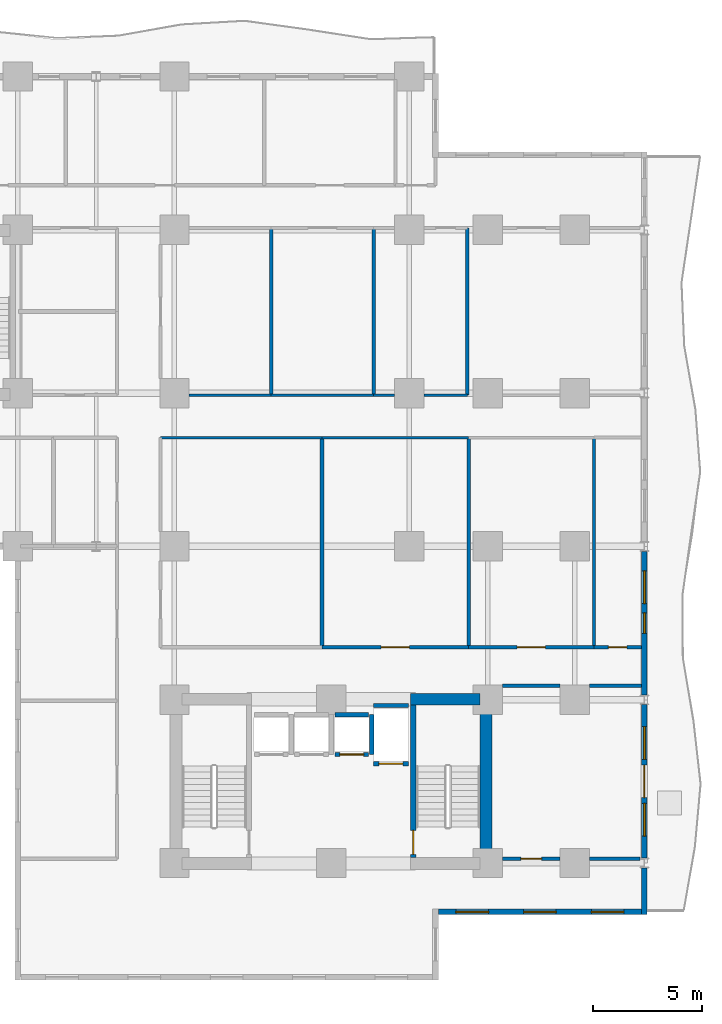
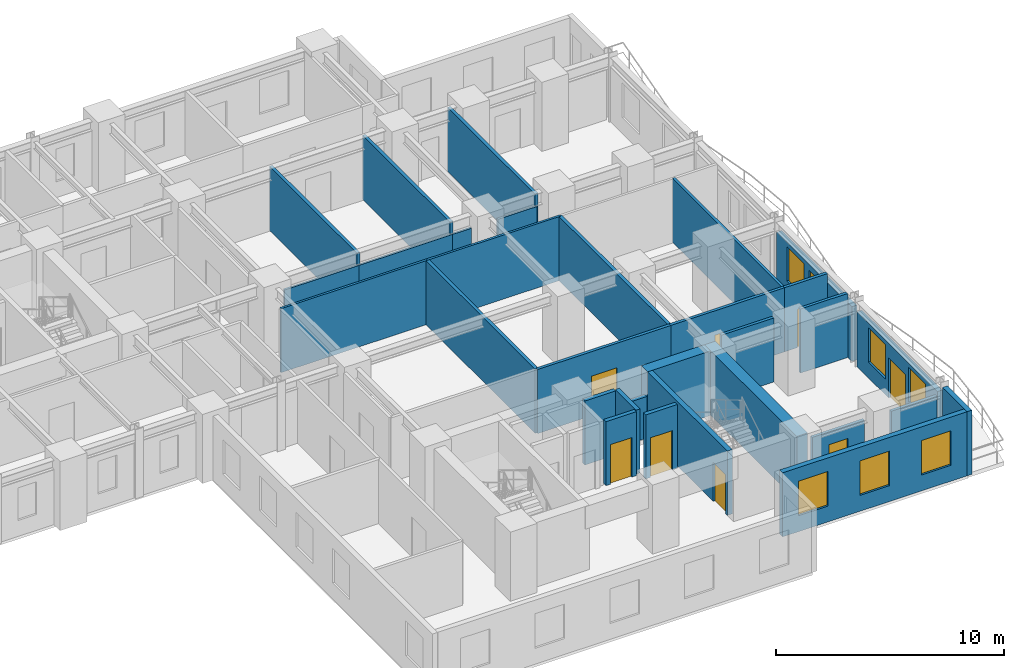
# One storey, part 5 of 11: 31 walls, 8 doors, 7 windows, 15 openings.
"""IFC4 building model written with IfcOpenShell, lengths in metres."""

from ifc_helpers import new_model, si_unit, direction, frame, frame_2d, origin, place, context, subcontext, project, spatial, rectangle, extrude, material, layer, layer_set, type_object, element, fill, save


model = new_model("IFC4")

# Units and contexts
model_context = context("Model", 3, precision=1e-05, world=origin(), true_north=direction((0.0, 1.0)))
body_context = subcontext(model_context, "Body", "Model", "MODEL_VIEW")
ifc_project = project(units=[si_unit("LENGTHUNIT", "METRE"), si_unit("AREAUNIT", "SQUARE_METRE"), si_unit("VOLUMEUNIT", "CUBIC_METRE"), si_unit("PLANEANGLEUNIT", "RADIAN"), si_unit("MASSUNIT", "GRAM", prefix="KILO")], contexts=[model_context])

# Site, building, storey
site_placement = place(None, origin())
site = spatial("IfcSite", under=ifc_project, at=site_placement, CompositionType="ELEMENT")
building_placement = place(site_placement, origin())
building = spatial("IfcBuilding", under=site, at=building_placement, Name="Kaliganga Portal Commons", CompositionType="ELEMENT")
storey_placement = place(building_placement, frame((0.0, 0.0, 54.89990234375)))
storey = spatial("IfcBuildingStorey", under=building, at=storey_placement, Name="L13", CompositionType="ELEMENT", Elevation=54.89990234375)

# Walls
ifc_material_1 = material(Name="Concrete C60/75", Category="concrete")
ifc_layer_1 = layer(ifc_material_1, 0.550048828125)
ifc_layer_set_1 = layer_set([ifc_layer_1], Name="Concrete C60/75")
wall_type_1 = type_object("IfcWallType", Name="WL-CORE-550", PredefinedType="SHEAR", material=ifc_layer_set_1)
wall_1_placement = place(storey_placement, frame((50.324951171875, 6.75, 0.0), z_axis=(0.0, 0.0, 1.0), x_axis=(0.0, 1.0, 0.0)))
element("IfcWall", 1, at=wall_1_placement, inside=storey, type_object=wall_type_1, Name="Core B East Shear Wall L13", PredefinedType="SHEAR", context=body_context, shape_type="SweptSolid", body=[
    extrude(rectangle(XDim=8.10009765625, YDim=0.550048828125, at=frame_2d((4.050048828125, 0.0))), origin(), (0.0, 0.0, 1.0), 3.4501953125),
])
wall_2_placement = place(storey_placement, frame((46.85009765625, 14.574951171875, 0.0), z_axis=(0.0, 0.0, 1.0), x_axis=(1.0, 0.0, 0.0)))
element("IfcWall", 2, at=wall_2_placement, inside=storey, type_object=wall_type_1, Name="Core B N-East Shear Wall L13", PredefinedType="SHEAR", context=body_context, shape_type="SweptSolid", body=[
    extrude(rectangle(XDim=3.199951171875, YDim=0.550048828125, at=frame_2d((1.60009765625, 0.0))), origin(), (0.0, 0.0, 1.0), 3.4501953125),
])

# Wall, openings, windows
ifc_material_2 = material(Name="Insulated Aluminium-Clad Spandrel Assembly", Category="aluminium")
ifc_layer_2 = layer(ifc_material_2, 0.260009765625)
ifc_layer_set_2 = layer_set([ifc_layer_2], Name="Insulated Aluminium-Clad Spandrel Assembly")
wall_type_2 = type_object("IfcWallType", Name="WL-EXT-SPAND-260", PredefinedType="STANDARD", material=ifc_layer_set_2)
wall_3_placement = place(storey_placement, frame((57.465087890625, 4.800048828125, 0.0), z_axis=(0.0, 0.0, 1.0), x_axis=(-1.0, 0.0, 0.0)))
wall_3 = element("IfcWall", 3, at=wall_3_placement, inside=storey, type_object=wall_type_2, Name="Exterior Envelope Wall L13 P1-E02-S1", PredefinedType="STANDARD", context=body_context, shape_type="SweptSolid", body=[
    extrude(rectangle(XDim=9.330078125, YDim=0.260009765625, at=frame_2d((4.6650390625, 0.0))), origin(), (0.0, 0.0, 1.0), 3.43017578125),
])
opening_1_placement = place(wall_3_placement, frame((0.804931640625, 0.0, 0.85009765625)))
opening_1 = element("IfcOpeningElement", 4, at=opening_1_placement, cuts=wall_3, Name="Opening W-02", PredefinedType="OPENING", context=body_context, shape_type="SweptSolid", body=[
    extrude(rectangle(XDim=1.5, YDim=1.85009765625, at=frame_2d((0.75, 0.925048828125))), frame((0.0, 0.14013671875, 0.0), z_axis=(0.0, -1.0, 0.0), x_axis=(1.0, 0.0, 0.0)), (0.0, 0.0, 1.0), 0.280029296875),
])
opening_2_placement = place(wall_3_placement, frame((3.9150390625, 0.0, 0.85009765625)))
opening_2 = element("IfcOpeningElement", 5, at=opening_2_placement, cuts=wall_3, Name="Opening W-02", PredefinedType="OPENING", context=body_context, shape_type="SweptSolid", body=[
    extrude(rectangle(XDim=1.5, YDim=1.85009765625, at=frame_2d((0.75, 0.925048828125))), frame((0.0, 0.14013671875, 0.0), z_axis=(0.0, -1.0, 0.0), x_axis=(1.0, 0.0, 0.0)), (0.0, 0.0, 1.0), 0.280029296875),
])
opening_3_placement = place(wall_3_placement, frame((7.02490234375, 0.0, 0.85009765625)))
opening_3 = element("IfcOpeningElement", 6, at=opening_3_placement, cuts=wall_3, Name="Opening W-02", PredefinedType="OPENING", context=body_context, shape_type="SweptSolid", body=[
    extrude(rectangle(XDim=1.5, YDim=1.85009765625, at=frame_2d((0.75, 0.925048828125))), frame((0.0, 0.14013671875, 0.0), z_axis=(0.0, -1.0, 0.0), x_axis=(1.0, 0.0, 0.0)), (0.0, 0.0, 1.0), 0.280029296875),
])
ifc_material_3 = material(Name="Thermally Broken Aluminium and Low-E Double Glazing", Category="aluminium")
window_type_1 = type_object("IfcWindowType", Name="WIN-STD-1500", PartitioningType="DOUBLE_PANEL_VERTICAL", PredefinedType="WINDOW", material=ifc_material_3)
window_1_placement = place(opening_1_placement, origin())
window_1 = element("IfcWindow", 7, at=window_1_placement, inside=storey, type_object=window_type_1, Name="Facade Window L13-P1E02S1-00", OverallHeight=1.85009765625, OverallWidth=1.5, PartitioningType="SINGLE_PANEL", PredefinedType="WINDOW", context=body_context, shape_type="SweptSolid", body=[
    extrude(rectangle(XDim=1.5, YDim=1.85009765625, at=frame_2d((0.75, 0.925048828125))), frame((0.0, 0.030029296875, 0.0), z_axis=(0.0, -1.0, 0.0), x_axis=(1.0, 0.0, 0.0)), (0.0, 0.0, 1.0), 0.06005859375),
])
fill(opening_1, window_1)
window_2_placement = place(opening_2_placement, origin())
window_2 = element("IfcWindow", 8, at=window_2_placement, inside=storey, type_object=window_type_1, Name="Facade Window L13-P1E02S1-01", OverallHeight=1.85009765625, OverallWidth=1.5, PartitioningType="SINGLE_PANEL", PredefinedType="WINDOW", context=body_context, shape_type="SweptSolid", body=[
    extrude(rectangle(XDim=1.5, YDim=1.85009765625, at=frame_2d((0.75, 0.925048828125))), frame((0.0, 0.030029296875, 0.0), z_axis=(0.0, -1.0, 0.0), x_axis=(1.0, 0.0, 0.0)), (0.0, 0.0, 1.0), 0.06005859375),
])
fill(opening_2, window_2)
window_3_placement = place(opening_3_placement, origin())
window_3 = element("IfcWindow", 9, at=window_3_placement, inside=storey, type_object=window_type_1, Name="Facade Window L13-P1E02S1-02", OverallHeight=1.85009765625, OverallWidth=1.5, PartitioningType="SINGLE_PANEL", PredefinedType="WINDOW", context=body_context, shape_type="SweptSolid", body=[
    extrude(rectangle(XDim=1.5, YDim=1.85009765625, at=frame_2d((0.75, 0.925048828125))), frame((0.0, 0.030029296875, 0.0), z_axis=(0.0, -1.0, 0.0), x_axis=(1.0, 0.0, 0.0)), (0.0, 0.0, 1.0), 0.06005859375),
])
fill(opening_3, window_3)

# Wall
wall_4_placement = place(storey_placement, frame((57.60009765625, 6.825927734375, 0.0), z_axis=(0.0, 0.0, 1.0), x_axis=(0.0, -1.0, 0.0)))
element("IfcWall", 10, at=wall_4_placement, inside=storey, type_object=wall_type_2, Name="Exterior Envelope Wall L13 P1-E03-S1", PredefinedType="STANDARD", context=body_context, shape_type="SweptSolid", body=[
    extrude(rectangle(XDim=2.156005859375, YDim=0.260009765625, at=frame_2d((1.078125, 0.0))), origin(), (0.0, 0.0, 1.0), 3.43017578125),
])

# Wall, openings, door, windows
wall_5_placement = place(storey_placement, frame((57.60009765625, 14.325927734375, 0.0), z_axis=(0.0, 0.0, 1.0), x_axis=(0.0, -1.0, 0.0)))
wall_5 = element("IfcWall", 11, at=wall_5_placement, inside=storey, type_object=wall_type_2, Name="Exterior Envelope Wall L13 P1-E03-S2", PredefinedType="STANDARD", context=body_context, shape_type="SweptSolid", body=[
    extrude(rectangle(XDim=7.052001953125, YDim=0.260009765625, at=frame_2d((3.52587890625, 0.0))), origin(), (0.0, 0.0, 1.0), 2.93017578125),
])
opening_4_placement = place(wall_5_placement, frame((2.77587890625, 0.0, 0.0)))
opening_4 = element("IfcOpeningElement", 12, at=opening_4_placement, cuts=wall_5, Name="Opening BD-01", PredefinedType="OPENING", context=body_context, shape_type="SweptSolid", body=[
    extrude(rectangle(XDim=1.5, YDim=2.14990234375, at=frame_2d((0.75, 1.074951171875))), frame((0.0, 0.14013671875, 0.0), z_axis=(0.0, -1.0, 0.0), x_axis=(1.0, 0.0, 0.0)), (0.0, 0.0, 1.0), 0.280029296875),
])
opening_5_placement = place(wall_5_placement, frame((1.012939453125, 0.0, 0.85009765625)))
opening_5 = element("IfcOpeningElement", 13, at=opening_5_placement, cuts=wall_5, Name="Opening W-02", PredefinedType="OPENING", context=body_context, shape_type="SweptSolid", body=[
    extrude(rectangle(XDim=1.5, YDim=1.85009765625, at=frame_2d((0.75, 0.925048828125))), frame((0.0, 0.14013671875, 0.0), z_axis=(0.0, -1.0, 0.0), x_axis=(1.0, 0.0, 0.0)), (0.0, 0.0, 1.0), 0.280029296875),
])
opening_6_placement = place(wall_5_placement, frame((4.5390625, 0.0, 0.85009765625)))
opening_6 = element("IfcOpeningElement", 14, at=opening_6_placement, cuts=wall_5, Name="Opening W-02", PredefinedType="OPENING", context=body_context, shape_type="SweptSolid", body=[
    extrude(rectangle(XDim=1.5, YDim=1.85009765625, at=frame_2d((0.75, 0.925048828125))), frame((0.0, 0.14013671875, 0.0), z_axis=(0.0, -1.0, 0.0), x_axis=(1.0, 0.0, 0.0)), (0.0, 0.0, 1.0), 0.280029296875),
])
ifc_material_4 = material(Name="Anodized Aluminium and Laminated Safety Glass", Category="aluminium")
door_type_1 = type_object("IfcDoorType", Name="DR-BALC-1500", OperationType="SLIDING_TO_LEFT", PredefinedType="DOOR", material=ifc_material_4)
door_1_placement = place(opening_4_placement, origin())
door_1 = element("IfcDoor", 15, at=door_1_placement, inside=storey, type_object=door_type_1, Name="Balcony Sliding Door L13 balc_east", OperationType="SLIDING_TO_LEFT", OverallHeight=2.14990234375, OverallWidth=1.5, PredefinedType="DOOR", context=body_context, shape_type="SweptSolid", body=[
    extrude(rectangle(XDim=1.5, YDim=2.14990234375, at=frame_2d((0.75, 1.074951171875))), frame((0.0, 0.02490234375, 0.0), z_axis=(0.0, -1.0, 0.0), x_axis=(1.0, 0.0, 0.0)), (0.0, 0.0, 1.0), 0.050048828125),
])
fill(opening_4, door_1)
window_4_placement = place(opening_5_placement, origin())
window_4 = element("IfcWindow", 16, at=window_4_placement, inside=storey, type_object=window_type_1, Name="Facade Window L13-P1E03S2-00", OverallHeight=1.85009765625, OverallWidth=1.5, PartitioningType="SINGLE_PANEL", PredefinedType="WINDOW", context=body_context, shape_type="SweptSolid", body=[
    extrude(rectangle(XDim=1.5, YDim=1.85009765625, at=frame_2d((0.75, 0.925048828125))), frame((0.0, 0.030029296875, 0.0), z_axis=(0.0, -1.0, 0.0), x_axis=(1.0, 0.0, 0.0)), (0.0, 0.0, 1.0), 0.06005859375),
])
fill(opening_5, window_4)
window_5_placement = place(opening_6_placement, origin())
window_5 = element("IfcWindow", 17, at=window_5_placement, inside=storey, type_object=window_type_1, Name="Facade Window L13-P1E03S2-01", OverallHeight=1.85009765625, OverallWidth=1.5, PartitioningType="SINGLE_PANEL", PredefinedType="WINDOW", context=body_context, shape_type="SweptSolid", body=[
    extrude(rectangle(XDim=1.5, YDim=1.85009765625, at=frame_2d((0.75, 0.925048828125))), frame((0.0, 0.030029296875, 0.0), z_axis=(0.0, -1.0, 0.0), x_axis=(1.0, 0.0, 0.0)), (0.0, 0.0, 1.0), 0.06005859375),
])
fill(opening_6, window_5)

# Wall, openings, windows
wall_6_placement = place(storey_placement, frame((57.60009765625, 21.3759765625, 0.0), z_axis=(0.0, 0.0, 1.0), x_axis=(0.0, -1.0, 0.0)))
wall_6 = element("IfcWall", 18, at=wall_6_placement, inside=storey, type_object=wall_type_2, Name="Exterior Envelope Wall L13 P1-E03-S3", PredefinedType="STANDARD", context=body_context, shape_type="SweptSolid", body=[
    extrude(rectangle(XDim=6.60205078125, YDim=0.260009765625, at=frame_2d((3.301025390625, 0.0))), origin(), (0.0, 0.0, 1.0), 2.93017578125),
])
opening_7_placement = place(wall_6_placement, frame((0.900390625, 0.0, 0.85009765625)))
opening_7 = element("IfcOpeningElement", 19, at=opening_7_placement, cuts=wall_6, Name="Opening W-02", PredefinedType="OPENING", context=body_context, shape_type="SweptSolid", body=[
    extrude(rectangle(XDim=1.5, YDim=1.85009765625, at=frame_2d((0.75, 0.925048828125))), frame((0.0, 0.14013671875, 0.0), z_axis=(0.0, -1.0, 0.0), x_axis=(1.0, 0.0, 0.0)), (0.0, 0.0, 1.0), 0.280029296875),
])
opening_8_placement = place(wall_6_placement, frame((2.825927734375, 0.0, 0.85009765625)))
opening_8 = element("IfcOpeningElement", 20, at=opening_8_placement, cuts=wall_6, Name="Opening W-04", PredefinedType="OPENING", context=body_context, shape_type="SweptSolid", body=[
    extrude(rectangle(XDim=0.949951171875, YDim=1.75, at=frame_2d((0.47509765625, 0.875))), frame((0.0, 0.14013671875, 0.0), z_axis=(0.0, -1.0, 0.0), x_axis=(1.0, 0.0, 0.0)), (0.0, 0.0, 1.0), 0.280029296875),
])
window_type_2 = type_object("IfcWindowType", Name="WIN-NARROW-950", PartitioningType="SINGLE_PANEL", PredefinedType="WINDOW", material=ifc_material_3)
window_6_placement = place(opening_8_placement, origin())
window_6 = element("IfcWindow", 21, at=window_6_placement, inside=storey, type_object=window_type_2, Name="Facade Window L13-P1E03S3-N0", OverallHeight=1.75, OverallWidth=0.949951171875, PartitioningType="SINGLE_PANEL", PredefinedType="WINDOW", context=body_context, shape_type="SweptSolid", body=[
    extrude(rectangle(XDim=0.949951171875, YDim=1.75, at=frame_2d((0.47509765625, 0.875))), frame((0.0, 0.030029296875, 0.0), z_axis=(0.0, -1.0, 0.0), x_axis=(1.0, 0.0, 0.0)), (0.0, 0.0, 1.0), 0.06005859375),
])
fill(opening_8, window_6)
window_7_placement = place(opening_7_placement, origin())
window_7 = element("IfcWindow", 22, at=window_7_placement, inside=storey, type_object=window_type_1, Name="Facade Window L13-P1E03S3-00", OverallHeight=1.85009765625, OverallWidth=1.5, PartitioningType="SINGLE_PANEL", PredefinedType="WINDOW", context=body_context, shape_type="SweptSolid", body=[
    extrude(rectangle(XDim=1.5, YDim=1.85009765625, at=frame_2d((0.75, 0.925048828125))), frame((0.0, 0.030029296875, 0.0), z_axis=(0.0, -1.0, 0.0), x_axis=(1.0, 0.0, 0.0)), (0.0, 0.0, 1.0), 0.06005859375),
])
fill(opening_7, window_7)

# Wall, opening, door
ifc_material_5 = material(Name="Fire-Rated Gypsum Board on Steel Stud", Category="steel")
ifc_layer_3 = layer(ifc_material_5, 0.14990234375)
ifc_layer_set_3 = layer_set([ifc_layer_3], Name="Fire-Rated Gypsum Board on Steel Stud")
wall_type_3 = type_object("IfcWallType", Name="WL-PART-CORR-150", PredefinedType="PARTITIONING", material=ifc_layer_set_3)
wall_7_placement = place(storey_placement, frame((51.074951171875, 7.239990234375, 0.0), z_axis=(0.0, 0.0, 1.0), x_axis=(1.0, 0.0, 0.0)))
wall_7 = element("IfcWall", 23, at=wall_7_placement, inside=storey, type_object=wall_type_3, Name="Interior Partition L13-017", PredefinedType="PARTITIONING", context=body_context, shape_type="SweptSolid", body=[
    extrude(rectangle(XDim=2.650146484375, YDim=0.14990234375, at=frame_2d((1.3251953125, 0.0))), origin(), (0.0, 0.0, 1.0), 2.780029296875),
])
opening_9_placement = place(wall_7_placement, frame((0.85009765625, 0.0, 0.0)))
opening_9 = element("IfcOpeningElement", 24, at=opening_9_placement, cuts=wall_7, Name="Opening UD-01", PredefinedType="OPENING", context=body_context, shape_type="SweptSolid", body=[
    extrude(rectangle(XDim=0.949951171875, YDim=2.10009765625, at=frame_2d((0.47509765625, 1.050048828125))), frame((0.0, 0.0849609375, 0.0), z_axis=(0.0, -1.0, 0.0), x_axis=(1.0, 0.0, 0.0)), (0.0, 0.0, 1.0), 0.169921875),
])
ifc_material_6 = material(Name="Solid-Core Timber Acoustic Fire Door", Category="wood")
door_type_2 = type_object("IfcDoorType", Name="DR-UNIT-950", OperationType="NOTDEFINED", PredefinedType="DOOR", material=ifc_material_6)
door_2_placement = place(opening_9_placement, origin())
door_2 = element("IfcDoor", 25, at=door_2_placement, inside=storey, type_object=door_type_2, Name="Interior Door L13-BE01", OperationType="SINGLE_SWING_RIGHT", OverallHeight=2.10009765625, OverallWidth=0.949951171875, PredefinedType="DOOR", context=body_context, shape_type="SweptSolid", body=[
    extrude(rectangle(XDim=0.949951171875, YDim=2.10009765625, at=frame_2d((0.47509765625, 1.050048828125))), frame((0.0, 0.02490234375, 0.0), z_axis=(0.0, -1.0, 0.0), x_axis=(1.0, 0.0, 0.0)), (0.0, 0.0, 1.0), 0.050048828125),
])
fill(opening_9, door_2)

# Walls
wall_8_placement = place(storey_placement, frame((55.074951171875, 7.239990234375, 0.0), z_axis=(0.0, 0.0, 1.0), x_axis=(1.0, 0.0, 0.0)))
element("IfcWall", 26, at=wall_8_placement, inside=storey, type_object=wall_type_3, Name="Interior Partition L13-018", PredefinedType="PARTITIONING", context=body_context, shape_type="SweptSolid", body=[
    extrude(rectangle(XDim=2.317138671875, YDim=0.14990234375, at=frame_2d((1.15869140625, 0.0))), origin(), (0.0, 0.0, 1.0), 2.780029296875),
])
wall_9_placement = place(storey_placement, frame((51.074951171875, 15.199951171875, 0.0), z_axis=(0.0, 0.0, 1.0), x_axis=(1.0, 0.0, 0.0)))
element("IfcWall", 27, at=wall_9_placement, inside=storey, type_object=wall_type_3, Name="Interior Partition L13-019", PredefinedType="PARTITIONING", context=body_context, shape_type="SweptSolid", body=[
    extrude(rectangle(XDim=2.650146484375, YDim=0.14990234375, at=frame_2d((1.3251953125, 0.0))), origin(), (0.0, 0.0, 1.0), 3.43017578125),
])
wall_10_placement = place(storey_placement, frame((55.074951171875, 15.199951171875, 0.0), z_axis=(0.0, 0.0, 1.0), x_axis=(1.0, 0.0, 0.0)))
element("IfcWall", 28, at=wall_10_placement, inside=storey, type_object=wall_type_3, Name="Interior Partition L13-020", PredefinedType="PARTITIONING", context=body_context, shape_type="SweptSolid", body=[
    extrude(rectangle(XDim=2.39306640625, YDim=0.14990234375, at=frame_2d((1.196533203125, 0.0))), origin(), (0.0, 0.0, 1.0), 3.43017578125),
])

# Wall, opening, door
wall_11_placement = place(storey_placement, frame((42.780029296875, 16.9599609375, 0.0), z_axis=(0.0, 0.0, 1.0), x_axis=(1.0, 0.0, 0.0)))
wall_11 = element("IfcWall", 29, at=wall_11_placement, inside=storey, type_object=wall_type_3, Name="Interior Partition L13-022", PredefinedType="PARTITIONING", context=body_context, shape_type="SweptSolid", body=[
    extrude(rectangle(XDim=6.739990234375, YDim=0.14990234375, at=frame_2d((3.3701171875, 0.0))), origin(), (0.0, 0.0, 1.0), 3.43017578125),
])
opening_10_placement = place(wall_11_placement, frame((2.719970703125, 0.0, 0.0)))
opening_10 = element("IfcOpeningElement", 30, at=opening_10_placement, cuts=wall_11, Name="Opening RD-03", PredefinedType="OPENING", context=body_context, shape_type="SweptSolid", body=[
    extrude(rectangle(XDim=1.300048828125, YDim=2.1201171875, at=frame_2d((0.64990234375, 1.06005859375))), frame((0.0, 0.0849609375, 0.0), z_axis=(0.0, -1.0, 0.0), x_axis=(1.0, 0.0, 0.0)), (0.0, 0.0, 1.0), 0.169921875),
])
ifc_material_7 = material(Name="Glazed Timber Seminar Vision Door", Category="wood")
door_type_3 = type_object("IfcDoorType", Name="DR-STUDY-1300", OperationType="DOUBLE_DOOR_SINGLE_SWING", PredefinedType="DOOR", material=ifc_material_7)
door_3_placement = place(opening_10_placement, origin())
door_3 = element("IfcDoor", 31, at=door_3_placement, inside=storey, type_object=door_type_3, Name="Interior Door L13-BM02", OperationType="DOUBLE_DOOR_SINGLE_SWING", OverallHeight=2.1201171875, OverallWidth=1.300048828125, PredefinedType="DOOR", context=body_context, shape_type="SweptSolid", body=[
    extrude(rectangle(XDim=1.300048828125, YDim=2.1201171875, at=frame_2d((0.64990234375, 1.06005859375))), frame((0.0, 0.02490234375, 0.0), z_axis=(0.0, -1.0, 0.0), x_axis=(1.0, 0.0, 0.0)), (0.0, 0.0, 1.0), 0.050048828125),
])
fill(opening_10, door_3)

wall_12_placement = place(storey_placement, frame((49.52001953125, 16.9599609375, 0.0), z_axis=(0.0, 0.0, 1.0), x_axis=(1.0, 0.0, 0.0)))
wall_12 = element("IfcWall", 32, at=wall_12_placement, inside=storey, type_object=wall_type_3, Name="Interior Partition L13-026", PredefinedType="PARTITIONING", context=body_context, shape_type="SweptSolid", body=[
    extrude(rectangle(XDim=5.760009765625, YDim=0.14990234375, at=frame_2d((2.8798828125, 0.0))), origin(), (0.0, 0.0, 1.0), 3.43017578125),
])
opening_11_placement = place(wall_12_placement, frame((2.22998046875, 0.0, 0.0)))
opening_11 = element("IfcOpeningElement", 33, at=opening_11_placement, cuts=wall_12, Name="Opening RD-03", PredefinedType="OPENING", context=body_context, shape_type="SweptSolid", body=[
    extrude(rectangle(XDim=1.300048828125, YDim=2.1201171875, at=frame_2d((0.64990234375, 1.06005859375))), frame((0.0, 0.0849609375, 0.0), z_axis=(0.0, -1.0, 0.0), x_axis=(1.0, 0.0, 0.0)), (0.0, 0.0, 1.0), 0.169921875),
])
door_4_placement = place(opening_11_placement, origin())
door_4 = element("IfcDoor", 34, at=door_4_placement, inside=storey, type_object=door_type_3, Name="Interior Door L13-BM03", OperationType="DOUBLE_DOOR_SINGLE_SWING", OverallHeight=2.1201171875, OverallWidth=1.300048828125, PredefinedType="DOOR", context=body_context, shape_type="SweptSolid", body=[
    extrude(rectangle(XDim=1.300048828125, YDim=2.1201171875, at=frame_2d((0.64990234375, 1.06005859375))), frame((0.0, 0.02490234375, 0.0), z_axis=(0.0, -1.0, 0.0), x_axis=(1.0, 0.0, 0.0)), (0.0, 0.0, 1.0), 0.050048828125),
])
fill(opening_11, door_4)

wall_13_placement = place(storey_placement, frame((55.280029296875, 16.9599609375, 0.0), z_axis=(0.0, 0.0, 1.0), x_axis=(1.0, 0.0, 0.0)))
wall_13 = element("IfcWall", 35, at=wall_13_placement, inside=storey, type_object=wall_type_3, Name="Interior Partition L13-044", PredefinedType="PARTITIONING", context=body_context, shape_type="SweptSolid", body=[
    extrude(rectangle(XDim=2.18798828125, YDim=0.14990234375, at=frame_2d((1.093994140625, 0.0))), origin(), (0.0, 0.0, 1.0), 3.43017578125),
])
opening_12_placement = place(wall_13_placement, frame((0.6689453125, 0.0, 0.0)))
opening_12 = element("IfcOpeningElement", 36, at=opening_12_placement, cuts=wall_13, Name="Opening WD-01", PredefinedType="OPENING", context=body_context, shape_type="SweptSolid", body=[
    extrude(rectangle(XDim=0.85009765625, YDim=2.0400390625, at=frame_2d((0.425048828125, 1.02001953125))), frame((0.0, 0.0849609375, 0.0), z_axis=(0.0, -1.0, 0.0), x_axis=(1.0, 0.0, 0.0)), (0.0, 0.0, 1.0), 0.169921875),
])
ifc_material_8 = material(Name="Moisture-Resistant Laminate Timber Door", Category="wood")
door_type_4 = type_object("IfcDoorType", Name="DR-WET-850", OperationType="NOTDEFINED", PredefinedType="DOOR", material=ifc_material_8)
door_5_placement = place(opening_12_placement, origin())
door_5 = element("IfcDoor", 37, at=door_5_placement, inside=storey, type_object=door_type_4, Name="Interior Door L13-BM04", OperationType="SINGLE_SWING_LEFT", OverallHeight=2.0400390625, OverallWidth=0.85009765625, PredefinedType="DOOR", context=body_context, shape_type="SweptSolid", body=[
    extrude(rectangle(XDim=0.85009765625, YDim=2.0400390625, at=frame_2d((0.425048828125, 1.02001953125))), frame((0.0, 0.02490234375, 0.0), z_axis=(0.0, -1.0, 0.0), x_axis=(1.0, 0.0, 0.0)), (0.0, 0.0, 1.0), 0.050048828125),
])
fill(opening_12, door_5)

# Walls
ifc_material_9 = material(Name="Moisture-Resistant Gypsum Partition", Category="gypsum")
ifc_layer_4 = layer(ifc_material_9, 0.114990234375)
ifc_layer_set_4 = layer_set([ifc_layer_4], Name="Moisture-Resistant Gypsum Partition")
wall_type_4 = type_object("IfcWallType", Name="WL-PART-ROOM-115", PredefinedType="PARTITIONING", material=ifc_layer_set_4)
wall_14_placement = place(storey_placement, frame((35.360107421875, 26.60009765625, 0.0), z_axis=(0.0, 0.0, 1.0), x_axis=(1.0, 0.0, 0.0)))
element("IfcWall", 38, at=wall_14_placement, inside=storey, type_object=wall_type_4, Name="Interior Partition L13-056", PredefinedType="PARTITIONING", context=body_context, shape_type="SweptSolid", body=[
    extrude(rectangle(XDim=7.419921875, YDim=0.114990234375, at=frame_2d((3.7099609375, 0.0))), origin(), (0.0, 0.0, 1.0), 3.43017578125),
])
wall_15_placement = place(storey_placement, frame((42.780029296875, 26.60009765625, 0.0), z_axis=(0.0, 0.0, 1.0), x_axis=(1.0, 0.0, 0.0)))
element("IfcWall", 39, at=wall_15_placement, inside=storey, type_object=wall_type_4, Name="Interior Partition L13-057", PredefinedType="PARTITIONING", context=body_context, shape_type="SweptSolid", body=[
    extrude(rectangle(XDim=6.739990234375, YDim=0.114990234375, at=frame_2d((3.3701171875, 0.0))), origin(), (0.0, 0.0, 1.0), 3.43017578125),
])
wall_16_placement = place(storey_placement, frame((36.675048828125, 28.56005859375, 0.0), z_axis=(0.0, 0.0, 1.0), x_axis=(1.0, 0.0, 0.0)))
element("IfcWall", 40, at=wall_16_placement, inside=storey, type_object=wall_type_4, Name="Interior Partition L13-059", PredefinedType="PARTITIONING", context=body_context, shape_type="SweptSolid", body=[
    extrude(rectangle(XDim=3.764892578125, YDim=0.114990234375, at=frame_2d((1.88232421875, 0.0))), origin(), (0.0, 0.0, 1.0), 2.780029296875),
])
wall_17_placement = place(storey_placement, frame((40.43994140625, 28.56005859375, 0.0), z_axis=(0.0, 0.0, 1.0), x_axis=(1.0, 0.0, 0.0)))
element("IfcWall", 41, at=wall_17_placement, inside=storey, type_object=wall_type_4, Name="Interior Partition L13-072", PredefinedType="PARTITIONING", context=body_context, shape_type="SweptSolid", body=[
    extrude(rectangle(XDim=4.719970703125, YDim=0.114990234375, at=frame_2d((2.35986328125, 0.0))), origin(), (0.0, 0.0, 1.0), 2.780029296875),
])
wall_18_placement = place(storey_placement, frame((45.159912109375, 28.56005859375, 0.0), z_axis=(0.0, 0.0, 1.0), x_axis=(1.0, 0.0, 0.0)))
element("IfcWall", 42, at=wall_18_placement, inside=storey, type_object=wall_type_4, Name="Interior Partition L13-076", PredefinedType="PARTITIONING", context=body_context, shape_type="SweptSolid", body=[
    extrude(rectangle(XDim=0.965087890625, YDim=0.114990234375, at=frame_2d((0.482421875, 0.0))), origin(), (0.0, 0.0, 1.0), 2.780029296875),
])
wall_19_placement = place(storey_placement, frame((47.47509765625, 28.56005859375, 0.0), z_axis=(0.0, 0.0, 1.0), x_axis=(1.0, 0.0, 0.0)))
element("IfcWall", 43, at=wall_19_placement, inside=storey, type_object=wall_type_4, Name="Interior Partition L13-077", PredefinedType="PARTITIONING", context=body_context, shape_type="SweptSolid", body=[
    extrude(rectangle(XDim=1.98486328125, YDim=0.114990234375, at=frame_2d((0.992431640625, 0.0))), origin(), (0.0, 0.0, 1.0), 2.780029296875),
])
ifc_material_10 = material(Name="Twin-Stud Acoustic Gypsum Partition", Category="gypsum")
ifc_layer_5 = layer(ifc_material_10, 0.1650390625)
ifc_layer_set_5 = layer_set([ifc_layer_5], Name="Twin-Stud Acoustic Gypsum Partition")
wall_type_5 = type_object("IfcWallType", Name="WL-PART-UNIT-165", PredefinedType="PARTITIONING", material=ifc_layer_set_5)
for number, where, z_axis, x_axis, name in (
    (44, (42.780029296875, 16.9599609375, 0.0), (0.0, 0.0, 1.0), (0.0, 1.0, 0.0), "Interior Partition L13-048"),
    (45, (49.52001953125, 16.9599609375, 0.0), (0.0, 0.0, 1.0), (0.0, 1.0, 0.0), "Interior Partition L13-049"),
):
    element("IfcWall", number, at=place(storey_placement, frame(where, z_axis=z_axis, x_axis=x_axis)), inside=storey, type_object=wall_type_5, Name=name, PredefinedType="PARTITIONING", context=body_context, shape_type="SweptSolid", body=[
        extrude(rectangle(XDim=9.64013671875, YDim=0.1650390625, at=frame_2d((4.820068359375, 0.0))), origin(), (0.0, 0.0, 1.0), 3.43017578125),
    ])
for number, where, z_axis, x_axis, name in (
    (46, (40.43994140625, 28.56005859375, 0.0), (0.0, 0.0, 1.0), (0.0, 1.0, 0.0), "Interior Partition L13-053"),
    (47, (45.159912109375, 28.56005859375, 0.0), (0.0, 0.0, 1.0), (0.0, 1.0, 0.0), "Interior Partition L13-054"),
    (48, (49.4599609375, 28.56005859375, 0.0), (0.0, 0.0, 1.0), (0.0, 1.0, 0.0), "Interior Partition L13-055"),
):
    element("IfcWall", number, at=place(storey_placement, frame(where, z_axis=z_axis, x_axis=x_axis)), inside=storey, type_object=wall_type_5, Name=name, PredefinedType="PARTITIONING", context=body_context, shape_type="SweptSolid", body=[
        extrude(rectangle(XDim=7.679931640625, YDim=0.1650390625, at=frame_2d((3.83984375, 0.0))), origin(), (0.0, 0.0, 1.0), 3.43017578125),
    ])
ifc_material_11 = material(Name="Cement-Board Wet-Room Partition", Category="gypsum")
ifc_layer_6 = layer(ifc_material_11, 0.135009765625)
ifc_layer_set_6 = layer_set([ifc_layer_6], Name="Cement-Board Wet-Room Partition")
wall_type_6 = type_object("IfcWallType", Name="WL-PART-WET-135", PredefinedType="PARTITIONING", material=ifc_layer_set_6)
wall_20_placement = place(storey_placement, frame((55.280029296875, 16.9599609375, 0.0), z_axis=(0.0, 0.0, 1.0), x_axis=(0.0, 1.0, 0.0)))
element("IfcWall", 49, at=wall_20_placement, inside=storey, type_object=wall_type_6, Name="Interior Partition L13-050", PredefinedType="PARTITIONING", context=body_context, shape_type="SweptSolid", body=[
    extrude(rectangle(XDim=9.64013671875, YDim=0.135009765625, at=frame_2d((4.820068359375, 0.0))), origin(), (0.0, 0.0, 1.0), 3.43017578125),
])

# Wall, opening, door
ifc_material_12 = material(Name="Fire-Rated Shaftwall Masonry Assembly", Category="masonry")
ifc_layer_7 = layer(ifc_material_12, 0.199951171875)
ifc_layer_set_7 = layer_set([ifc_layer_7], Name="Fire-Rated Shaftwall Masonry Assembly")
wall_type_7 = type_object("IfcWallType", Name="WL-SHAFT-200", PredefinedType="PARTITIONING", material=ifc_layer_set_7)
wall_21_placement = place(storey_placement, frame((43.375, 12.034912109375, 0.0), z_axis=(0.0, 0.0, 1.0), x_axis=(1.0, 0.0, 0.0)))
wall_21 = element("IfcWall", 50, at=wall_21_placement, inside=storey, type_object=wall_type_7, Name="Lift SH-2 Hoistway Shaft Wall L13-S", PredefinedType="PARTITIONING", context=body_context, shape_type="SweptSolid", body=[
    extrude(rectangle(XDim=1.550048828125, YDim=0.199951171875, at=frame_2d((0.77490234375, 0.0))), origin(), (0.0, 0.0, 1.0), 3.43017578125),
])
opening_13_placement = place(wall_21_placement, frame((0.22509765625, 0.0, 0.0)))
opening_13 = element("IfcOpeningElement", 51, at=opening_13_placement, cuts=wall_21, Name="Opening LD-01", PredefinedType="OPENING", context=body_context, shape_type="SweptSolid", body=[
    extrude(rectangle(XDim=1.10009765625, YDim=2.1201171875, at=frame_2d((0.550048828125, 1.06005859375))), frame((0.0, 0.10986328125, 0.0), z_axis=(0.0, -1.0, 0.0), x_axis=(1.0, 0.0, 0.0)), (0.0, 0.0, 1.0), 0.219970703125),
])
ifc_material_13 = material(Name="Brushed Stainless Steel 316 Lift Landing Door", Category="steel")
door_type_5 = type_object("IfcDoorType", Name="DR-LIFT-1100", OperationType="SLIDING_TO_LEFT", PredefinedType="DOOR", material=ifc_material_13)
door_6_placement = place(opening_13_placement, origin())
door_6 = element("IfcDoor", 52, at=door_6_placement, inside=storey, type_object=door_type_5, Name="Lift SH-2 Sliding Landing Door L13", OperationType="SLIDING_TO_LEFT", OverallHeight=2.1201171875, OverallWidth=1.10009765625, PredefinedType="DOOR", context=body_context, shape_type="SweptSolid", body=[
    extrude(rectangle(XDim=1.10009765625, YDim=2.1201171875, at=frame_2d((0.550048828125, 1.06005859375))), frame((0.0, 0.02490234375, 0.0), z_axis=(0.0, -1.0, 0.0), x_axis=(1.0, 0.0, 0.0)), (0.0, 0.0, 1.0), 0.050048828125),
])
fill(opening_13, door_6)

# Walls
wall_22_placement = place(storey_placement, frame((43.375, 13.864990234375, 0.0), z_axis=(0.0, 0.0, 1.0), x_axis=(1.0, 0.0, 0.0)))
element("IfcWall", 53, at=wall_22_placement, inside=storey, type_object=wall_type_7, Name="Lift SH-2 Hoistway Shaft Wall L13-N", PredefinedType="PARTITIONING", context=body_context, shape_type="SweptSolid", body=[
    extrude(rectangle(XDim=1.550048828125, YDim=0.199951171875, at=frame_2d((0.77490234375, 0.0))), origin(), (0.0, 0.0, 1.0), 3.43017578125),
])
wall_23_placement = place(storey_placement, frame((45.06494140625, 12.034912109375, 0.0), z_axis=(0.0, 0.0, 1.0), x_axis=(0.0, 1.0, 0.0)))
element("IfcWall", 54, at=wall_23_placement, inside=storey, type_object=wall_type_7, Name="Lift SH-2 Hoistway Shaft Wall L13-E", PredefinedType="PARTITIONING", context=body_context, shape_type="SweptSolid", body=[
    extrude(rectangle(XDim=1.830078125, YDim=0.199951171875, at=frame_2d((0.9150390625, 0.0))), origin(), (0.0, 0.0, 1.0), 3.43017578125),
])

# Wall, opening, door
wall_24_placement = place(storey_placement, frame((45.14990234375, 11.610107421875, 0.0), z_axis=(0.0, 0.0, 1.0), x_axis=(1.0, 0.0, 0.0)))
wall_24 = element("IfcWall", 55, at=wall_24_placement, inside=storey, type_object=wall_type_7, Name="Lift SL-B1 Hoistway Shaft Wall L13-S", PredefinedType="PARTITIONING", context=body_context, shape_type="SweptSolid", body=[
    extrude(rectangle(XDim=1.60009765625, YDim=0.199951171875, at=frame_2d((0.800048828125, 0.0))), origin(), (0.0, 0.0, 1.0), 3.43017578125),
])
opening_14_placement = place(wall_24_placement, frame((0.25, 0.0, 0.0)))
opening_14 = element("IfcOpeningElement", 56, at=opening_14_placement, cuts=wall_24, Name="Opening LD-01", PredefinedType="OPENING", context=body_context, shape_type="SweptSolid", body=[
    extrude(rectangle(XDim=1.10009765625, YDim=2.1201171875, at=frame_2d((0.550048828125, 1.06005859375))), frame((0.0, 0.10986328125, 0.0), z_axis=(0.0, -1.0, 0.0), x_axis=(1.0, 0.0, 0.0)), (0.0, 0.0, 1.0), 0.219970703125),
])
door_7_placement = place(opening_14_placement, origin())
door_7 = element("IfcDoor", 57, at=door_7_placement, inside=storey, type_object=door_type_5, Name="Lift SL-B1 Sliding Landing Door L13", OperationType="SLIDING_TO_LEFT", OverallHeight=2.1201171875, OverallWidth=1.10009765625, PredefinedType="DOOR", context=body_context, shape_type="SweptSolid", body=[
    extrude(rectangle(XDim=1.10009765625, YDim=2.1201171875, at=frame_2d((0.550048828125, 1.06005859375))), frame((0.0, 0.02490234375, 0.0), z_axis=(0.0, -1.0, 0.0), x_axis=(1.0, 0.0, 0.0)), (0.0, 0.0, 1.0), 0.050048828125),
])
fill(opening_14, door_7)

# Wall
wall_25_placement = place(storey_placement, frame((45.14990234375, 14.2900390625, 0.0), z_axis=(0.0, 0.0, 1.0), x_axis=(1.0, 0.0, 0.0)))
element("IfcWall", 58, at=wall_25_placement, inside=storey, type_object=wall_type_7, Name="Lift SL-B1 Hoistway Shaft Wall L13-N", PredefinedType="PARTITIONING", context=body_context, shape_type="SweptSolid", body=[
    extrude(rectangle(XDim=1.60009765625, YDim=0.199951171875, at=frame_2d((0.800048828125, 0.0))), origin(), (0.0, 0.0, 1.0), 2.22998046875),
])

# Wall, opening, door
ifc_material_14 = material(Name="Concrete C50/60", Category="concrete")
ifc_layer_8 = layer(ifc_material_14, 0.25)
ifc_layer_set_8 = layer_set([ifc_layer_8], Name="Concrete C50/60")
wall_type_8 = type_object("IfcWallType", Name="WL-STAIR-250", PredefinedType="SHEAR", material=ifc_layer_set_8)
wall_26_placement = place(storey_placement, frame((46.97509765625, 7.300048828125, 0.0), z_axis=(0.0, 0.0, 1.0), x_axis=(0.0, 1.0, 0.0)))
wall_26 = element("IfcWall", 59, at=wall_26_placement, inside=storey, type_object=wall_type_8, Name="Stair B2 Enclosure Shear Wall L13", PredefinedType="SHEAR", context=body_context, shape_type="SweptSolid", body=[
    extrude(rectangle(XDim=7.0, YDim=0.25, at=frame_2d((3.5, 0.0))), origin(), (0.0, 0.0, 1.0), 3.4501953125),
])
opening_15_placement = place(wall_26_placement, frame((0.14990234375, 0.0, 0.0)))
opening_15 = element("IfcOpeningElement", 60, at=opening_15_placement, cuts=wall_26, Name="Opening SD-01", PredefinedType="OPENING", context=body_context, shape_type="SweptSolid", body=[
    extrude(rectangle(XDim=1.10009765625, YDim=2.080078125, at=frame_2d((0.550048828125, 1.0400390625))), frame((0.0, 0.135009765625, 0.0), z_axis=(0.0, -1.0, 0.0), x_axis=(1.0, 0.0, 0.0)), (0.0, 0.0, 1.0), 0.27001953125),
])
ifc_material_15 = material(Name="Galvanized Steel Fire Door Leaf and Frame", Category="steel")
door_type_6 = type_object("IfcDoorType", Name="DR-STAIR-1100", OperationType="NOTDEFINED", PredefinedType="DOOR", material=ifc_material_15)
door_8_placement = place(opening_15_placement, origin())
door_8 = element("IfcDoor", 61, at=door_8_placement, inside=storey, type_object=door_type_6, Name="Protected Stair ST-B2 Fire Door L13", OperationType="SINGLE_SWING_RIGHT", OverallHeight=2.080078125, OverallWidth=1.10009765625, PredefinedType="DOOR", context=body_context, shape_type="SweptSolid", body=[
    extrude(rectangle(XDim=1.10009765625, YDim=2.080078125, at=frame_2d((0.550048828125, 1.0400390625))), frame((0.0, 0.02490234375, 0.0), z_axis=(0.0, -1.0, 0.0), x_axis=(1.0, 0.0, 0.0)), (0.0, 0.0, 1.0), 0.050048828125),
])
fill(opening_15, door_8)

save(model, "model.ifc")
